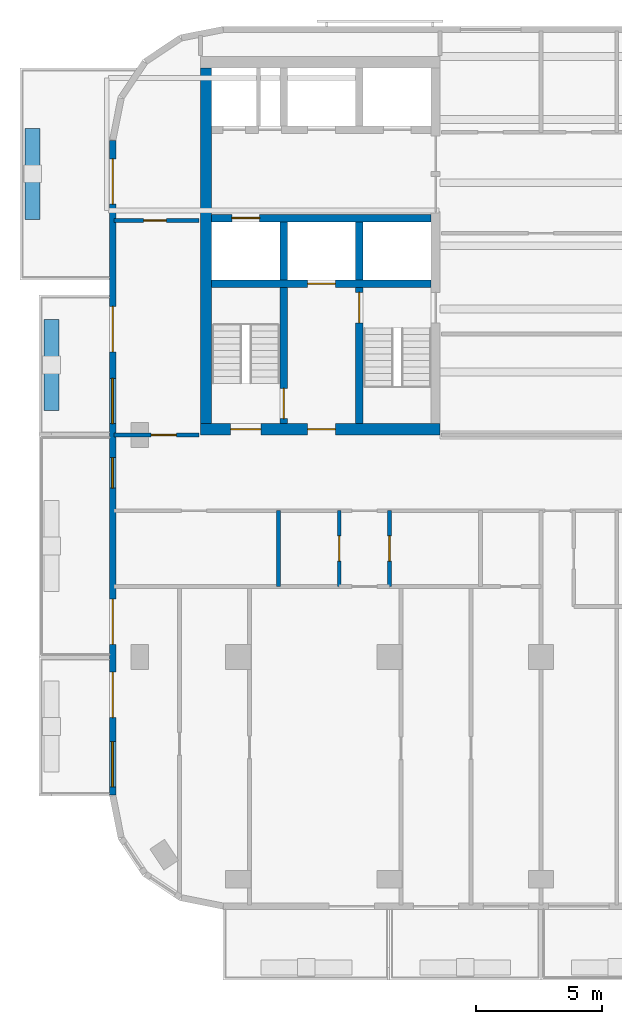
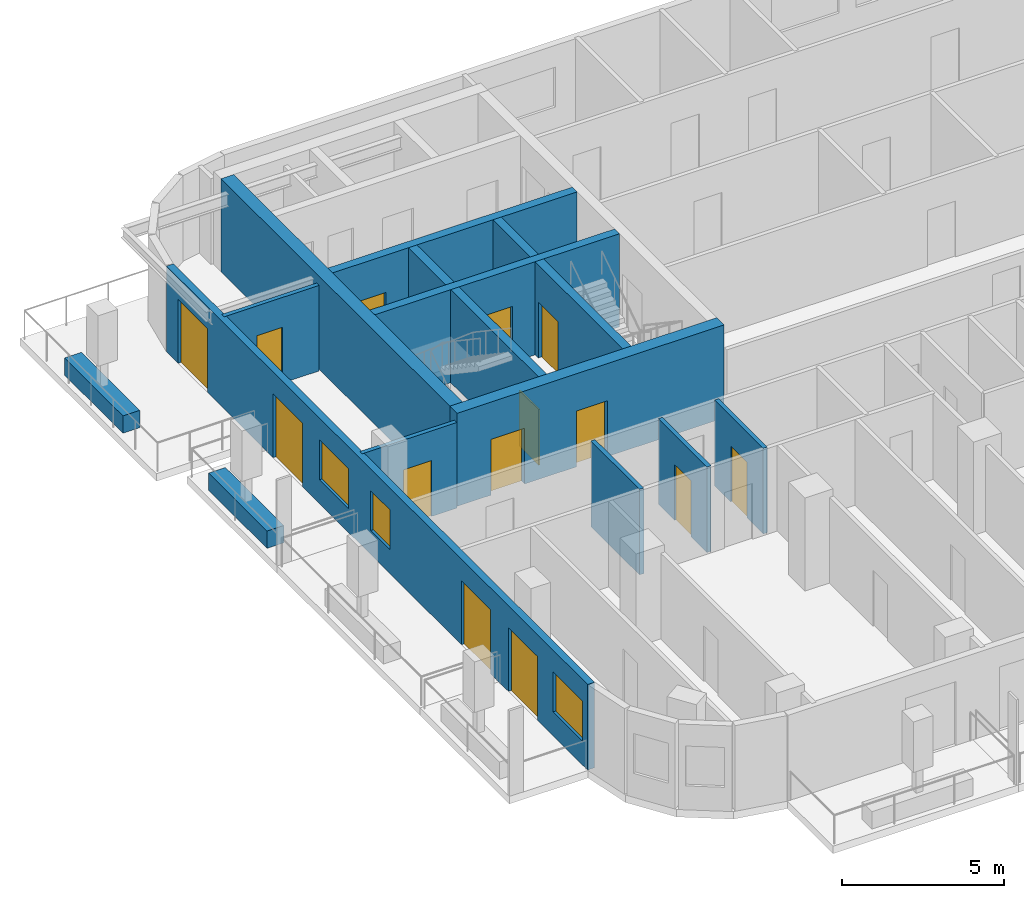
# One storey, part 3 of 11: 16 walls, 14 doors, 3 windows, 17 openings.
"""IFC4 building model written with IfcOpenShell, lengths in metres."""

from ifc_helpers import new_model, si_unit, direction, frame, frame_2d, origin, place, context, subcontext, project, spatial, rectangle, extrude, material, layer, layer_set, type_object, element, fill, save


model = new_model("IFC4")

# Units and contexts
model_context = context("Model", 3, precision=1e-05, world=origin(), true_north=direction((0.0, 1.0)))
body_context = subcontext(model_context, "Body", "Model", "MODEL_VIEW")
ifc_project = project(units=[si_unit("LENGTHUNIT", "METRE"), si_unit("AREAUNIT", "SQUARE_METRE"), si_unit("VOLUMEUNIT", "CUBIC_METRE"), si_unit("PLANEANGLEUNIT", "RADIAN"), si_unit("MASSUNIT", "GRAM", prefix="KILO")], contexts=[model_context])

# Site, building, storey
site_placement = place(None, origin())
site = spatial("IfcSite", under=ifc_project, at=site_placement, CompositionType="ELEMENT")
building_placement = place(site_placement, origin())
building = spatial("IfcBuilding", under=site, at=building_placement, Name="Torana Hotel and Residences", CompositionType="ELEMENT")
storey_placement = place(building_placement, frame((0.0, 0.0, 298.10009765625)))
storey = spatial("IfcBuildingStorey", under=building, at=storey_placement, Name="L79", CompositionType="ELEMENT", Elevation=298.10009765625)

# Wall, opening, door
ifc_material_1 = material(Name="Concrete C60/75", Category="concrete")
ifc_layer_1 = layer(ifc_material_1, 0.300048828125)
ifc_layer_set_1 = layer_set([ifc_layer_1], Name="CORE WALL 300 C60/75")
wall_type_1 = type_object("IfcWallType", Name="CORE WALL 300 C60/75", PredefinedType="SHEAR", material=ifc_layer_set_1)
wall_1_placement = place(storey_placement, frame((-19.050048828125, -6.39990234375, 0.0), z_axis=(0.0, 0.0, 1.0), x_axis=(1.0, 0.0, 0.0)))
wall_1 = element("IfcWall", 1, at=wall_1_placement, inside=storey, type_object=wall_type_1, Name="Core wall W row-S", PredefinedType="SHEAR", context=body_context, shape_type="SweptSolid", body=[
    extrude(rectangle(XDim=8.699951171875, YDim=0.300048828125, at=frame_2d((4.35009765625, 0.0))), origin(), (0.0, 0.0, 1.0), 3.5),
])
opening_1_placement = place(wall_1_placement, frame((0.800048828125, 0.0, 0.0)))
opening_1 = element("IfcOpeningElement", 2, at=opening_1_placement, cuts=wall_1, Name="Opening LD", PredefinedType="OPENING", context=body_context, shape_type="SweptSolid", body=[
    extrude(rectangle(XDim=1.10009765625, YDim=2.10009765625, at=frame_2d((0.550048828125, 1.050048828125))), frame((0.0, 0.159912109375, 0.0), z_axis=(0.0, -1.0, 0.0), x_axis=(1.0, 0.0, 0.0)), (0.0, 0.0, 1.0), 0.320068359375),
])
ifc_material_2 = material(Name="Stainless steel 316", Category="steel")
door_type_1 = type_object("IfcDoorType", Name="LIFT LANDING DOOR LD 1100x2100", OperationType="DOUBLE_DOOR_SLIDING", PredefinedType="USERDEFINED", material=ifc_material_2)
door_1_placement = place(opening_1_placement, origin())
door_1 = element("IfcDoor", 3, at=door_1_placement, inside=storey, type_object=door_type_1, Name="Lift landing door SV1 L79", ObjectType="LIFT LANDING DOOR", OperationType="DOUBLE_DOOR_SLIDING", OverallHeight=2.10009765625, OverallWidth=1.10009765625, PredefinedType="USERDEFINED", context=body_context, shape_type="SweptSolid", body=[
    extrude(rectangle(XDim=1.10009765625, YDim=2.10009765625, at=frame_2d((0.550048828125, 1.050048828125))), frame((0.0, 0.02490234375, 0.0), z_axis=(0.0, -1.0, 0.0), x_axis=(1.0, 0.0, 0.0)), (0.0, 0.0, 1.0), 0.050048828125),
])
fill(opening_1, door_1)

wall_2_placement = place(storey_placement, frame((-19.050048828125, -9.0, 0.0), z_axis=(0.0, 0.0, 1.0), x_axis=(1.0, 0.0, 0.0)))
wall_2 = element("IfcWall", 4, at=wall_2_placement, inside=storey, type_object=wall_type_1, Name="Core wall W band", PredefinedType="SHEAR", context=body_context, shape_type="SweptSolid", body=[
    extrude(rectangle(XDim=8.699951171875, YDim=0.300048828125, at=frame_2d((4.35009765625, 0.0))), origin(), (0.0, 0.0, 1.0), 3.5),
])
opening_2_placement = place(wall_2_placement, frame((3.800048828125, 0.0, 0.0)))
opening_2 = element("IfcOpeningElement", 5, at=opening_2_placement, cuts=wall_2, Name="Opening LD", PredefinedType="OPENING", context=body_context, shape_type="SweptSolid", body=[
    extrude(rectangle(XDim=1.10009765625, YDim=2.10009765625, at=frame_2d((0.550048828125, 1.050048828125))), frame((0.0, 0.159912109375, 0.0), z_axis=(0.0, -1.0, 0.0), x_axis=(1.0, 0.0, 0.0)), (0.0, 0.0, 1.0), 0.320068359375),
])
door_2_placement = place(opening_2_placement, origin())
door_2 = element("IfcDoor", 6, at=door_2_placement, inside=storey, type_object=door_type_1, Name="Lift landing door FF1 L79", ObjectType="LIFT LANDING DOOR", OperationType="DOUBLE_DOOR_SLIDING", OverallHeight=2.10009765625, OverallWidth=1.10009765625, PredefinedType="USERDEFINED", context=body_context, shape_type="SweptSolid", body=[
    extrude(rectangle(XDim=1.10009765625, YDim=2.10009765625, at=frame_2d((0.550048828125, 1.050048828125))), frame((0.0, 0.02490234375, 0.0), z_axis=(0.0, -1.0, 0.0), x_axis=(1.0, 0.0, 0.0)), (0.0, 0.0, 1.0), 0.050048828125),
])
fill(opening_2, door_2)

# Wall
wall_3_placement = place(storey_placement, frame((-13.199951171875, -8.85009765625, 0.0), z_axis=(0.0, 0.0, 1.0), x_axis=(0.0, 1.0, 0.0)))
element("IfcWall", 7, at=wall_3_placement, inside=storey, type_object=wall_type_1, Name="Core wall W x3.05-S", PredefinedType="SHEAR", context=body_context, shape_type="SweptSolid", body=[
    extrude(rectangle(XDim=2.300048828125, YDim=0.300048828125, at=frame_2d((1.14990234375, 0.0))), origin(), (0.0, 0.0, 1.0), 3.5),
])

# Wall, opening, door
wall_4_placement = place(storey_placement, frame((-13.199951171875, -14.550048828125, 0.0), z_axis=(0.0, 0.0, 1.0), x_axis=(0.0, 1.0, 0.0)))
wall_4 = element("IfcWall", 8, at=wall_4_placement, inside=storey, type_object=wall_type_1, Name="Core wall W x3.05-band", PredefinedType="SHEAR", context=body_context, shape_type="SweptSolid", body=[
    extrude(rectangle(XDim=5.400146484375, YDim=0.300048828125, at=frame_2d((2.7001953125, 0.0))), origin(), (0.0, 0.0, 1.0), 3.5),
])
opening_3_placement = place(wall_4_placement, frame((4.0, 0.0, 0.0)))
opening_3 = element("IfcOpeningElement", 9, at=opening_3_placement, cuts=wall_4, Name="Opening L79-08", PredefinedType="OPENING", context=body_context, shape_type="SweptSolid", body=[
    extrude(rectangle(XDim=1.199951171875, YDim=2.10009765625, at=frame_2d((0.60009765625, 1.050048828125))), frame((0.0, 0.159912109375, 0.0), z_axis=(0.0, -1.0, 0.0), x_axis=(1.0, 0.0, 0.0)), (0.0, 0.0, 1.0), 0.320068359375),
])
ifc_material_3 = material(Name="Steel S235", Category="steel")
door_type_2 = type_object("IfcDoorType", Name="STAIR FIRE DOOR D3 1200x2100", OperationType="SINGLE_SWING_LEFT", PredefinedType="DOOR", material=ifc_material_3)
door_3_placement = place(opening_3_placement, frame((0.60009765625, 0.0, 0.0), z_axis=(0.0, 0.0, 1.0), x_axis=(-1.0, 0.0, 0.0)))
door_3 = element("IfcDoor", 10, at=door_3_placement, inside=storey, type_object=door_type_2, Name="Stair-A-lobby door L79", OperationType="SINGLE_SWING_RIGHT", OverallHeight=2.10009765625, OverallWidth=1.199951171875, PredefinedType="DOOR", context=body_context, shape_type="SweptSolid", body=[
    extrude(rectangle(XDim=1.199951171875, YDim=2.10009765625, at=frame_2d((0.0, 1.050048828125))), frame((0.0, -0.02490234375, 0.0), z_axis=(0.0, 1.0, 0.0), x_axis=(-1.0, 0.0, 0.0)), (0.0, 0.0, 1.0), 0.050048828125),
])
fill(opening_3, door_3)

# Wall
wall_5_placement = place(storey_placement, frame((-16.199951171875, -8.85009765625, 0.0), z_axis=(0.0, 0.0, 1.0), x_axis=(0.0, 1.0, 0.0)))
element("IfcWall", 11, at=wall_5_placement, inside=storey, type_object=wall_type_1, Name="Core wall W x6.05-S", PredefinedType="SHEAR", context=body_context, shape_type="SweptSolid", body=[
    extrude(rectangle(XDim=2.300048828125, YDim=0.300048828125, at=frame_2d((1.14990234375, 0.0))), origin(), (0.0, 0.0, 1.0), 3.5),
])

# Wall, opening, door
wall_6_placement = place(storey_placement, frame((-16.199951171875, -14.550048828125, 0.0), z_axis=(0.0, 0.0, 1.0), x_axis=(0.0, 1.0, 0.0)))
wall_6 = element("IfcWall", 12, at=wall_6_placement, inside=storey, type_object=wall_type_1, Name="Core wall W x6.05-band", PredefinedType="SHEAR", context=body_context, shape_type="SweptSolid", body=[
    extrude(rectangle(XDim=5.400146484375, YDim=0.300048828125, at=frame_2d((2.7001953125, 0.0))), origin(), (0.0, 0.0, 1.0), 3.5),
])
opening_4_placement = place(wall_6_placement, frame((0.199951171875, 0.0, 0.0)))
opening_4 = element("IfcOpeningElement", 13, at=opening_4_placement, cuts=wall_6, Name="Opening L79-09", PredefinedType="OPENING", context=body_context, shape_type="SweptSolid", body=[
    extrude(rectangle(XDim=1.199951171875, YDim=2.10009765625, at=frame_2d((0.60009765625, 1.050048828125))), frame((0.0, 0.159912109375, 0.0), z_axis=(0.0, -1.0, 0.0), x_axis=(1.0, 0.0, 0.0)), (0.0, 0.0, 1.0), 0.320068359375),
])
door_4_placement = place(opening_4_placement, origin())
door_4 = element("IfcDoor", 14, at=door_4_placement, inside=storey, type_object=door_type_2, Name="Stair-B-lobby door L79", OperationType="SINGLE_SWING_RIGHT", OverallHeight=2.10009765625, OverallWidth=1.199951171875, PredefinedType="DOOR", context=body_context, shape_type="SweptSolid", body=[
    extrude(rectangle(XDim=1.199951171875, YDim=2.10009765625, at=frame_2d((0.60009765625, 1.050048828125))), frame((0.0, 0.02490234375, 0.0), z_axis=(0.0, -1.0, 0.0), x_axis=(1.0, 0.0, 0.0)), (0.0, 0.0, 1.0), 0.050048828125),
])
fill(opening_4, door_4)

# Wall, openings, doors
ifc_material_4 = material(Name="Concrete C60/75", Category="concrete")
ifc_layer_2 = layer(ifc_material_4, 0.449951171875)
ifc_layer_set_2 = layer_set([ifc_layer_2], Name="CORE WALL 450 C60/75")
wall_type_2 = type_object("IfcWallType", Name="CORE WALL 450 C60/75", PredefinedType="SHEAR", material=ifc_layer_set_2)
wall_7_placement = place(storey_placement, frame((-19.5, -14.77490234375, 0.0), z_axis=(0.0, 0.0, 1.0), x_axis=(1.0, 0.0, 0.0)))
wall_7 = element("IfcWall", 15, at=wall_7_placement, inside=storey, type_object=wall_type_2, Name="Core wall W front", PredefinedType="SHEAR", context=body_context, shape_type="SweptSolid", body=[
    extrude(rectangle(XDim=9.5, YDim=0.449951171875, at=frame_2d((4.75, 0.0))), origin(), (0.0, 0.0, 1.0), 3.5),
])
opening_5_placement = place(wall_7_placement, frame((1.199951171875, 0.0, 0.0)))
opening_5 = element("IfcOpeningElement", 16, at=opening_5_placement, cuts=wall_7, Name="Opening L79-04", PredefinedType="OPENING", context=body_context, shape_type="SweptSolid", body=[
    extrude(rectangle(XDim=1.199951171875, YDim=2.10009765625, at=frame_2d((0.60009765625, 1.050048828125))), frame((0.0, 0.23486328125, 0.0), z_axis=(0.0, -1.0, 0.0), x_axis=(1.0, 0.0, 0.0)), (0.0, 0.0, 1.0), 0.469970703125),
])
opening_6_placement = place(wall_7_placement, frame((4.25, 0.0, 0.0)))
opening_6 = element("IfcOpeningElement", 17, at=opening_6_placement, cuts=wall_7, Name="Opening L79-05", PredefinedType="OPENING", context=body_context, shape_type="SweptSolid", body=[
    extrude(rectangle(XDim=1.10009765625, YDim=2.10009765625, at=frame_2d((0.550048828125, 1.050048828125))), frame((0.0, 0.23486328125, 0.0), z_axis=(0.0, -1.0, 0.0), x_axis=(1.0, 0.0, 0.0)), (0.0, 0.0, 1.0), 0.469970703125),
])
ifc_material_5 = material(Name="Steel S235", Category="steel")
door_type_3 = type_object("IfcDoorType", Name="FIRE-FIGHTING LOBBY DOOR D8 1100x2100", OperationType="SINGLE_SWING_LEFT", PredefinedType="DOOR", material=ifc_material_5)
door_5_placement = place(opening_6_placement, origin())
door_5 = element("IfcDoor", 18, at=door_5_placement, inside=storey, type_object=door_type_3, Name="FF-lobby door L79", OperationType="SINGLE_SWING_RIGHT", OverallHeight=2.10009765625, OverallWidth=1.10009765625, PredefinedType="DOOR", context=body_context, shape_type="SweptSolid", body=[
    extrude(rectangle(XDim=1.10009765625, YDim=2.10009765625, at=frame_2d((0.550048828125, 1.050048828125))), frame((0.0, 0.02490234375, 0.0), z_axis=(0.0, -1.0, 0.0), x_axis=(1.0, 0.0, 0.0)), (0.0, 0.0, 1.0), 0.050048828125),
])
fill(opening_6, door_5)
door_6_placement = place(opening_5_placement, origin())
door_6 = element("IfcDoor", 19, at=door_6_placement, inside=storey, type_object=door_type_2, Name="Stair-B door L79", OperationType="SINGLE_SWING_RIGHT", OverallHeight=2.10009765625, OverallWidth=1.199951171875, PredefinedType="DOOR", context=body_context, shape_type="SweptSolid", body=[
    extrude(rectangle(XDim=1.199951171875, YDim=2.10009765625, at=frame_2d((0.60009765625, 1.050048828125))), frame((0.0, 0.02490234375, 0.0), z_axis=(0.0, -1.0, 0.0), x_axis=(1.0, 0.0, 0.0)), (0.0, 0.0, 1.0), 0.050048828125),
])
fill(opening_5, door_6)

# Wall
wall_8_placement = place(storey_placement, frame((-19.27490234375, -14.550048828125, 0.0), z_axis=(0.0, 0.0, 1.0), x_axis=(0.0, 1.0, 0.0)))
element("IfcWall", 20, at=wall_8_placement, inside=storey, type_object=wall_type_2, Name="Core wall W outer", PredefinedType="SHEAR", context=body_context, shape_type="SweptSolid", body=[
    extrude(rectangle(XDim=14.10009765625, YDim=0.449951171875, at=frame_2d((7.050048828125, 0.0))), origin(), (0.0, 0.0, 1.0), 3.5),
])

# Wall, openings, doors, windows
ifc_material_6 = material(Name="Black aluminium composite panel", Category="aluminium")
ifc_layer_3 = layer(ifc_material_6, 0.00390625, Name="Cladding", Category="cladding")
ifc_material_7 = material(Name="Ventilated air cavity")
ifc_layer_4 = layer(ifc_material_7, 0.0400390625, Name="Ventilated cavity", Category="cavity")
ifc_material_8 = material(Name="Mineral wool insulation")
ifc_layer_5 = layer(ifc_material_8, 0.090087890625, Name="Insulation", Category="insulation")
ifc_material_9 = material(Name="Steel S280GD", Category="steel")
ifc_layer_6 = layer(ifc_material_9, 0.092041015625, Name="Steel stud frame", Category="structure")
ifc_material_10 = material(Name="Fire rated plasterboard")
ifc_layer_7 = layer(ifc_material_10, 0.011962890625, Name="Inner board", Category="finish")
ifc_layer_8 = layer(ifc_material_10, 0.011962890625, Name="Second board", Category="finish")
ifc_layer_set_3 = layer_set([ifc_layer_3, ifc_layer_4, ifc_layer_5, ifc_layer_6, ifc_layer_7, ifc_layer_8], Name="EW1 EXTERNAL WALL BLACK METAL CLAD 250")
wall_type_3 = type_object("IfcWallType", Name="EW1 EXTERNAL WALL BLACK METAL CLAD 250", PredefinedType="SOLIDWALL", material=ifc_layer_set_3)
wall_9_placement = place(storey_placement, frame((-22.97509765625, -3.32470703125, 0.0), z_axis=(0.0, 0.0, 1.0), x_axis=(0.0, -1.0, 0.0)))
wall_9 = element("IfcWall", 21, at=wall_9_placement, inside=storey, type_object=wall_type_3, Name="External wall L79 e0.9", PredefinedType="SOLIDWALL", context=body_context, shape_type="SweptSolid", body=[
    extrude(rectangle(XDim=25.95068359375, YDim=0.25, at=frame_2d((12.975341796875, 0.0))), origin(), (0.0, 0.0, 1.0), 3.219970703125),
])
opening_7_placement = place(wall_9_placement, frame((0.725341796875, 0.0, 0.0)))
opening_7 = element("IfcOpeningElement", 22, at=opening_7_placement, cuts=wall_9, Name="Opening L79-E11", PredefinedType="OPENING", context=body_context, shape_type="SweptSolid", body=[
    extrude(rectangle(XDim=1.800048828125, YDim=2.39990234375, at=frame_2d((0.89990234375, 1.199951171875))), frame((0.0, 0.135009765625, 0.0), z_axis=(0.0, -1.0, 0.0), x_axis=(1.0, 0.0, 0.0)), (0.0, 0.0, 1.0), 0.27001953125),
])
opening_8_placement = place(wall_9_placement, frame((6.575439453125, 0.0, 0.0)))
opening_8 = element("IfcOpeningElement", 23, at=opening_8_placement, cuts=wall_9, Name="Opening L79-E12", PredefinedType="OPENING", context=body_context, shape_type="SweptSolid", body=[
    extrude(rectangle(XDim=1.800048828125, YDim=2.39990234375, at=frame_2d((0.89990234375, 1.199951171875))), frame((0.0, 0.135009765625, 0.0), z_axis=(0.0, -1.0, 0.0), x_axis=(1.0, 0.0, 0.0)), (0.0, 0.0, 1.0), 0.27001953125),
])
opening_9_placement = place(wall_9_placement, frame((9.42529296875, 0.0, 0.89990234375)))
opening_9 = element("IfcOpeningElement", 24, at=opening_9_placement, cuts=wall_9, Name="Opening W4", PredefinedType="OPENING", context=body_context, shape_type="SweptSolid", body=[
    extrude(rectangle(XDim=1.800048828125, YDim=1.5, at=frame_2d((0.89990234375, 0.75))), frame((0.0, 0.135009765625, 0.0), z_axis=(0.0, -1.0, 0.0), x_axis=(1.0, 0.0, 0.0)), (0.0, 0.0, 1.0), 0.27001953125),
])
opening_10_placement = place(wall_9_placement, frame((12.575439453125, 0.0, 0.89990234375)))
opening_10 = element("IfcOpeningElement", 25, at=opening_10_placement, cuts=wall_9, Name="Opening W5", PredefinedType="OPENING", context=body_context, shape_type="SweptSolid", body=[
    extrude(rectangle(XDim=1.199951171875, YDim=1.5, at=frame_2d((0.60009765625, 0.75))), frame((0.0, 0.135009765625, 0.0), z_axis=(0.0, -1.0, 0.0), x_axis=(1.0, 0.0, 0.0)), (0.0, 0.0, 1.0), 0.27001953125),
])
opening_11_placement = place(wall_9_placement, frame((18.17529296875, 0.0, 0.0)))
opening_11 = element("IfcOpeningElement", 26, at=opening_11_placement, cuts=wall_9, Name="Opening L79-E13", PredefinedType="OPENING", context=body_context, shape_type="SweptSolid", body=[
    extrude(rectangle(XDim=1.800048828125, YDim=2.39990234375, at=frame_2d((0.89990234375, 1.199951171875))), frame((0.0, 0.135009765625, 0.0), z_axis=(0.0, -1.0, 0.0), x_axis=(1.0, 0.0, 0.0)), (0.0, 0.0, 1.0), 0.27001953125),
])
opening_12_placement = place(wall_9_placement, frame((21.075439453125, 0.0, 0.0)))
opening_12 = element("IfcOpeningElement", 27, at=opening_12_placement, cuts=wall_9, Name="Opening L79-E14", PredefinedType="OPENING", context=body_context, shape_type="SweptSolid", body=[
    extrude(rectangle(XDim=1.800048828125, YDim=2.39990234375, at=frame_2d((0.89990234375, 1.199951171875))), frame((0.0, 0.135009765625, 0.0), z_axis=(0.0, -1.0, 0.0), x_axis=(1.0, 0.0, 0.0)), (0.0, 0.0, 1.0), 0.27001953125),
])
opening_13_placement = place(wall_9_placement, frame((23.825439453125, 0.0, 0.89990234375)))
opening_13 = element("IfcOpeningElement", 28, at=opening_13_placement, cuts=wall_9, Name="Opening W4", PredefinedType="OPENING", context=body_context, shape_type="SweptSolid", body=[
    extrude(rectangle(XDim=1.800048828125, YDim=1.5, at=frame_2d((0.89990234375, 0.75))), frame((0.0, 0.135009765625, 0.0), z_axis=(0.0, -1.0, 0.0), x_axis=(1.0, 0.0, 0.0)), (0.0, 0.0, 1.0), 0.27001953125),
])
ifc_material_11 = material(Name="Dark glass in black aluminium frame", Category="aluminium")
door_type_4 = type_object("IfcDoorType", Name="DB1 BALCONY DOOR 1800x2400", OperationType="DOUBLE_DOOR_SINGLE_SWING", PredefinedType="DOOR", material=ifc_material_11)
door_7_placement = place(opening_7_placement, origin())
door_7 = element("IfcDoor", 29, at=door_7_placement, inside=storey, type_object=door_type_4, Name="Balcony door L79", OperationType="DOUBLE_DOOR_SINGLE_SWING", OverallHeight=2.39990234375, OverallWidth=1.800048828125, PredefinedType="DOOR", context=body_context, shape_type="SweptSolid", body=[
    extrude(rectangle(XDim=1.800048828125, YDim=2.39990234375, at=frame_2d((0.89990234375, 1.199951171875))), frame((0.0, 0.02490234375, 0.0), z_axis=(0.0, -1.0, 0.0), x_axis=(1.0, 0.0, 0.0)), (0.0, 0.0, 1.0), 0.050048828125),
])
fill(opening_7, door_7)
door_8_placement = place(opening_8_placement, origin())
door_8 = element("IfcDoor", 30, at=door_8_placement, inside=storey, type_object=door_type_4, Name="Balcony door L79", OperationType="DOUBLE_DOOR_SINGLE_SWING", OverallHeight=2.39990234375, OverallWidth=1.800048828125, PredefinedType="DOOR", context=body_context, shape_type="SweptSolid", body=[
    extrude(rectangle(XDim=1.800048828125, YDim=2.39990234375, at=frame_2d((0.89990234375, 1.199951171875))), frame((0.0, 0.02490234375, 0.0), z_axis=(0.0, -1.0, 0.0), x_axis=(1.0, 0.0, 0.0)), (0.0, 0.0, 1.0), 0.050048828125),
])
fill(opening_8, door_8)
door_9_placement = place(opening_11_placement, origin())
door_9 = element("IfcDoor", 31, at=door_9_placement, inside=storey, type_object=door_type_4, Name="Balcony door L79", OperationType="DOUBLE_DOOR_SINGLE_SWING", OverallHeight=2.39990234375, OverallWidth=1.800048828125, PredefinedType="DOOR", context=body_context, shape_type="SweptSolid", body=[
    extrude(rectangle(XDim=1.800048828125, YDim=2.39990234375, at=frame_2d((0.89990234375, 1.199951171875))), frame((0.0, 0.02490234375, 0.0), z_axis=(0.0, -1.0, 0.0), x_axis=(1.0, 0.0, 0.0)), (0.0, 0.0, 1.0), 0.050048828125),
])
fill(opening_11, door_9)
door_10_placement = place(opening_12_placement, origin())
door_10 = element("IfcDoor", 32, at=door_10_placement, inside=storey, type_object=door_type_4, Name="Balcony door L79", OperationType="DOUBLE_DOOR_SINGLE_SWING", OverallHeight=2.39990234375, OverallWidth=1.800048828125, PredefinedType="DOOR", context=body_context, shape_type="SweptSolid", body=[
    extrude(rectangle(XDim=1.800048828125, YDim=2.39990234375, at=frame_2d((0.89990234375, 1.199951171875))), frame((0.0, 0.02490234375, 0.0), z_axis=(0.0, -1.0, 0.0), x_axis=(1.0, 0.0, 0.0)), (0.0, 0.0, 1.0), 0.050048828125),
])
fill(opening_12, door_10)
ifc_material_12 = material(Name="Dark glass in black aluminium frame", Category="aluminium")
window_type_1 = type_object("IfcWindowType", Name="W4 RESIDENCE WINDOW NARROW 1800x1500", PartitioningType="SINGLE_PANEL", PredefinedType="WINDOW", material=ifc_material_12)
window_1_placement = place(opening_9_placement, origin())
window_1 = element("IfcWindow", 33, at=window_1_placement, inside=storey, type_object=window_type_1, Name="Window L79", OverallHeight=1.5, OverallWidth=1.800048828125, PartitioningType="SINGLE_PANEL", PredefinedType="WINDOW", context=body_context, shape_type="SweptSolid", body=[
    extrude(rectangle(XDim=1.800048828125, YDim=1.5, at=frame_2d((0.89990234375, 0.75))), frame((0.0, 0.030029296875, 0.0), z_axis=(0.0, -1.0, 0.0), x_axis=(1.0, 0.0, 0.0)), (0.0, 0.0, 1.0), 0.06005859375),
])
fill(opening_9, window_1)
window_2_placement = place(opening_13_placement, origin())
window_2 = element("IfcWindow", 34, at=window_2_placement, inside=storey, type_object=window_type_1, Name="Window L79", OverallHeight=1.5, OverallWidth=1.800048828125, PartitioningType="SINGLE_PANEL", PredefinedType="WINDOW", context=body_context, shape_type="SweptSolid", body=[
    extrude(rectangle(XDim=1.800048828125, YDim=1.5, at=frame_2d((0.89990234375, 0.75))), frame((0.0, 0.030029296875, 0.0), z_axis=(0.0, -1.0, 0.0), x_axis=(1.0, 0.0, 0.0)), (0.0, 0.0, 1.0), 0.06005859375),
])
fill(opening_13, window_2)
ifc_material_13 = material(Name="Dark glass in black aluminium frame", Category="aluminium")
window_type_2 = type_object("IfcWindowType", Name="W5 CORNER FACET WINDOW 1200x1500", PartitioningType="SINGLE_PANEL", PredefinedType="WINDOW", material=ifc_material_13)
window_3_placement = place(opening_10_placement, origin())
window_3 = element("IfcWindow", 35, at=window_3_placement, inside=storey, type_object=window_type_2, Name="Window L79", OverallHeight=1.5, OverallWidth=1.199951171875, PartitioningType="SINGLE_PANEL", PredefinedType="WINDOW", context=body_context, shape_type="SweptSolid", body=[
    extrude(rectangle(XDim=1.199951171875, YDim=1.5, at=frame_2d((0.60009765625, 0.75))), frame((0.0, 0.030029296875, 0.0), z_axis=(0.0, -1.0, 0.0), x_axis=(1.0, 0.0, 0.0)), (0.0, 0.0, 1.0), 0.06005859375),
])
fill(opening_10, window_3)

# Wall, opening, door
ifc_material_14 = material(Name="Gypsum plaster")
ifc_layer_9 = layer(ifc_material_14, 0.014892578125, Name="Plaster", Category="finish")
ifc_material_15 = material(Name="Concrete blockwork", Category="masonry")
ifc_layer_10 = layer(ifc_material_15, 0.1201171875, Name="Blockwork", Category="structure")
ifc_layer_11 = layer(ifc_material_14, 0.014892578125, Name="Plaster", Category="finish")
ifc_layer_set_4 = layer_set([ifc_layer_9, ifc_layer_10, ifc_layer_11], Name="FIRE PARTITION 150 BLOCKWORK")
wall_type_4 = type_object("IfcWallType", Name="FIRE PARTITION 150 BLOCKWORK", PredefinedType="PARTITIONING", material=ifc_layer_set_4)
wall_10_placement = place(storey_placement, frame((-12.0, -21.0, 0.0), z_axis=(0.0, 0.0, 1.0), x_axis=(0.0, 1.0, 0.0)))
wall_10 = element("IfcWall", 36, at=wall_10_placement, inside=storey, type_object=wall_type_4, Name="Partition L79", PredefinedType="PARTITIONING", context=body_context, shape_type="SweptSolid", body=[
    extrude(rectangle(XDim=3.0, YDim=0.14990234375, at=frame_2d((1.5, 0.0))), origin(), (0.0, 0.0, 1.0), 3.219970703125),
])
opening_14_placement = place(wall_10_placement, frame((1.0, 0.0, 0.0)))
opening_14 = element("IfcOpeningElement", 37, at=opening_14_placement, cuts=wall_10, Name="Opening L79-45", PredefinedType="OPENING", context=body_context, shape_type="SweptSolid", body=[
    extrude(rectangle(XDim=1.0, YDim=2.10009765625, at=frame_2d((0.5, 1.050048828125))), frame((0.0, 0.0849609375, 0.0), z_axis=(0.0, -1.0, 0.0), x_axis=(1.0, 0.0, 0.0)), (0.0, 0.0, 1.0), 0.169921875),
])
ifc_material_16 = material(Name="Steel S235", Category="steel")
door_type_5 = type_object("IfcDoorType", Name="ENTRY FIRE DOOR D6 1000x2100", OperationType="SINGLE_SWING_LEFT", PredefinedType="DOOR", material=ifc_material_16)
door_11_placement = place(opening_14_placement, frame((0.5, 0.0, 0.0), z_axis=(0.0, 0.0, 1.0), x_axis=(-1.0, 0.0, 0.0)))
door_11 = element("IfcDoor", 38, at=door_11_placement, inside=storey, type_object=door_type_5, Name="Door L79", OperationType="SINGLE_SWING_LEFT", OverallHeight=2.10009765625, OverallWidth=1.0, PredefinedType="DOOR", context=body_context, shape_type="SweptSolid", body=[
    extrude(rectangle(XDim=1.0, YDim=2.10009765625, at=frame_2d((0.0, 1.050048828125))), frame((0.0, -0.02490234375, 0.0), z_axis=(0.0, 1.0, 0.0), x_axis=(-1.0, 0.0, 0.0)), (0.0, 0.0, 1.0), 0.050048828125),
])
fill(opening_14, door_11)

wall_11_placement = place(storey_placement, frame((-14.0, -21.0, 0.0), z_axis=(0.0, 0.0, 1.0), x_axis=(0.0, 1.0, 0.0)))
wall_11 = element("IfcWall", 39, at=wall_11_placement, inside=storey, type_object=wall_type_4, Name="Partition L79", PredefinedType="PARTITIONING", context=body_context, shape_type="SweptSolid", body=[
    extrude(rectangle(XDim=3.0, YDim=0.14990234375, at=frame_2d((1.5, 0.0))), origin(), (0.0, 0.0, 1.0), 3.219970703125),
])
opening_15_placement = place(wall_11_placement, frame((1.0, 0.0, 0.0)))
opening_15 = element("IfcOpeningElement", 40, at=opening_15_placement, cuts=wall_11, Name="Opening L79-46", PredefinedType="OPENING", context=body_context, shape_type="SweptSolid", body=[
    extrude(rectangle(XDim=1.0, YDim=2.10009765625, at=frame_2d((0.5, 1.050048828125))), frame((0.0, 0.0849609375, 0.0), z_axis=(0.0, -1.0, 0.0), x_axis=(1.0, 0.0, 0.0)), (0.0, 0.0, 1.0), 0.169921875),
])
door_12_placement = place(opening_15_placement, origin())
door_12 = element("IfcDoor", 41, at=door_12_placement, inside=storey, type_object=door_type_5, Name="Door L79", OperationType="SINGLE_SWING_RIGHT", OverallHeight=2.10009765625, OverallWidth=1.0, PredefinedType="DOOR", context=body_context, shape_type="SweptSolid", body=[
    extrude(rectangle(XDim=1.0, YDim=2.10009765625, at=frame_2d((0.5, 1.050048828125))), frame((0.0, 0.02490234375, 0.0), z_axis=(0.0, -1.0, 0.0), x_axis=(1.0, 0.0, 0.0)), (0.0, 0.0, 1.0), 0.050048828125),
])
fill(opening_15, door_12)

wall_12_placement = place(storey_placement, frame((-22.919921875, -15.0, 0.0), z_axis=(0.0, 0.0, 1.0), x_axis=(1.0, 0.0, 0.0)))
wall_12 = element("IfcWall", 42, at=wall_12_placement, inside=storey, type_object=wall_type_4, Name="Partition L79", PredefinedType="PARTITIONING", context=body_context, shape_type="SweptSolid", body=[
    extrude(rectangle(XDim=3.369873046875, YDim=0.14990234375, at=frame_2d((1.68505859375, 0.0))), origin(), (0.0, 0.0, 1.0), 3.219970703125),
])
opening_16_placement = place(wall_12_placement, frame((1.469970703125, 0.0, 0.0)))
opening_16 = element("IfcOpeningElement", 43, at=opening_16_placement, cuts=wall_12, Name="Opening L79-28", PredefinedType="OPENING", context=body_context, shape_type="SweptSolid", body=[
    extrude(rectangle(XDim=1.0, YDim=2.10009765625, at=frame_2d((0.5, 1.050048828125))), frame((0.0, 0.0849609375, 0.0), z_axis=(0.0, -1.0, 0.0), x_axis=(1.0, 0.0, 0.0)), (0.0, 0.0, 1.0), 0.169921875),
])
ifc_material_17 = material(Name="Steel S235", Category="steel")
door_type_6 = type_object("IfcDoorType", Name="CORE ROOM FIRE DOOR D14 1000x2100", OperationType="SINGLE_SWING_LEFT", PredefinedType="DOOR", material=ifc_material_17)
door_13_placement = place(opening_16_placement, origin())
door_13 = element("IfcDoor", 44, at=door_13_placement, inside=storey, type_object=door_type_6, Name="Door L79", OperationType="SINGLE_SWING_RIGHT", OverallHeight=2.10009765625, OverallWidth=1.0, PredefinedType="DOOR", context=body_context, shape_type="SweptSolid", body=[
    extrude(rectangle(XDim=1.0, YDim=2.10009765625, at=frame_2d((0.5, 1.050048828125))), frame((0.0, 0.02490234375, 0.0), z_axis=(0.0, -1.0, 0.0), x_axis=(1.0, 0.0, 0.0)), (0.0, 0.0, 1.0), 0.050048828125),
])
fill(opening_16, door_13)

# Wall
ifc_material_18 = material(Name="Gypsum plasterboard")
ifc_layer_12 = layer(ifc_material_18, 0.012451171875, Name="Plasterboard", Category="finish")
ifc_layer_13 = layer(ifc_material_18, 0.012451171875, Name="Plasterboard", Category="finish")
ifc_layer_14 = layer(ifc_material_9, 0.10009765625, Name="Steel studs with mineral wool", Category="insulation")
ifc_layer_15 = layer(ifc_material_18, 0.012451171875, Name="Plasterboard", Category="finish")
ifc_layer_16 = layer(ifc_material_18, 0.012451171875, Name="Plasterboard", Category="finish")
ifc_layer_set_5 = layer_set([ifc_layer_12, ifc_layer_13, ifc_layer_14, ifc_layer_15, ifc_layer_16], Name="PARTITION 150 PLASTERBOARD")
wall_type_5 = type_object("IfcWallType", Name="PARTITION 150 PLASTERBOARD", PredefinedType="PARTITIONING", material=ifc_layer_set_5)
wall_13_placement = place(storey_placement, frame((-16.39990234375, -21.0, 0.0), z_axis=(0.0, 0.0, 1.0), x_axis=(0.0, 1.0, 0.0)))
element("IfcWall", 45, at=wall_13_placement, inside=storey, type_object=wall_type_5, Name="Partition L79", PredefinedType="PARTITIONING", context=body_context, shape_type="SweptSolid", body=[
    extrude(rectangle(XDim=3.0, YDim=0.14990234375, at=frame_2d((1.5, 0.0))), origin(), (0.0, 0.0, 1.0), 3.219970703125),
])

# Wall, opening, door
wall_14_placement = place(storey_placement, frame((-22.919921875, -6.5, 0.0), z_axis=(0.0, 0.0, 1.0), x_axis=(1.0, 0.0, 0.0)))
wall_14 = element("IfcWall", 46, at=wall_14_placement, inside=storey, type_object=wall_type_5, Name="Partition L79", PredefinedType="PARTITIONING", context=body_context, shape_type="SweptSolid", body=[
    extrude(rectangle(XDim=3.369873046875, YDim=0.14990234375, at=frame_2d((1.68505859375, 0.0))), origin(), (0.0, 0.0, 1.0), 3.219970703125),
])
opening_17_placement = place(wall_14_placement, frame((1.169921875, 0.0, 0.0)))
opening_17 = element("IfcOpeningElement", 47, at=opening_17_placement, cuts=wall_14, Name="Opening L79-60", PredefinedType="OPENING", context=body_context, shape_type="SweptSolid", body=[
    extrude(rectangle(XDim=0.89990234375, YDim=2.10009765625, at=frame_2d((0.449951171875, 1.050048828125))), frame((0.0, 0.0849609375, 0.0), z_axis=(0.0, -1.0, 0.0), x_axis=(1.0, 0.0, 0.0)), (0.0, 0.0, 1.0), 0.169921875),
])
ifc_material_19 = material(Name="Timber door, oiled ash", Category="wood")
door_type_7 = type_object("IfcDoorType", Name="ROOM DOOR D7 900x2100", OperationType="SINGLE_SWING_LEFT", PredefinedType="DOOR", material=ifc_material_19)
door_14_placement = place(opening_17_placement, origin())
door_14 = element("IfcDoor", 48, at=door_14_placement, inside=storey, type_object=door_type_7, Name="Door L79", OperationType="SINGLE_SWING_RIGHT", OverallHeight=2.10009765625, OverallWidth=0.89990234375, PredefinedType="DOOR", context=body_context, shape_type="SweptSolid", body=[
    extrude(rectangle(XDim=0.89990234375, YDim=2.10009765625, at=frame_2d((0.449951171875, 1.050048828125))), frame((0.0, 0.02490234375, 0.0), z_axis=(0.0, -1.0, 0.0), x_axis=(1.0, 0.0, 0.0)), (0.0, 0.0, 1.0), 0.050048828125),
])
fill(opening_17, door_14)

# Walls
ifc_material_20 = material(Name="Concrete C40/50 precast", Category="concrete")
ifc_layer_17 = layer(ifc_material_20, 0.10009765625, Name="Planter shell", Category="structure")
ifc_material_21 = material(Name="Root resistant membrane")
ifc_layer_18 = layer(ifc_material_21, 0.00390625, Name="Waterproofing membrane", Category="membrane")
ifc_material_22 = material(Name="Drainage board with filter fleece")
ifc_layer_19 = layer(ifc_material_22, 0.02001953125, Name="Drainage board", Category="drainage")
ifc_material_23 = material(Name="Growing medium")
ifc_layer_20 = layer(ifc_material_23, 0.47607421875, Name="Planting substrate", Category="soil")
ifc_layer_set_6 = layer_set([ifc_layer_17, ifc_layer_18, ifc_layer_19, ifc_layer_20], Name="PL1 BALCONY PLANTER 600")
wall_type_6 = type_object("IfcWallType", Name="PL1 BALCONY PLANTER 600", PredefinedType="USERDEFINED", material=ifc_layer_set_6)
for number, where, z_axis, x_axis, name in (
    (49, (-25.39990234375, -14.02490234375, 0.0), (0.0, 0.0, 1.0), (0.0, 1.0, 0.0), "Planter 09"),
    (50, (-26.14990234375, -6.449951171875, 0.0), (0.0, 0.0, 1.0), (0.0, 1.0, 0.0), "Planter 10"),
):
    element("IfcWall", number, at=place(storey_placement, frame(where, z_axis=z_axis, x_axis=x_axis)), inside=storey, type_object=wall_type_6, Name=name, ObjectType="PLANTER", PredefinedType="USERDEFINED", context=body_context, shape_type="SweptSolid", body=[
        extrude(rectangle(XDim=3.599853515625, YDim=0.60009765625, at=frame_2d((1.7998046875, 0.0))), origin(), (0.0, 0.0, 1.0), 0.64990234375),
    ])

save(model, "model.ifc")
